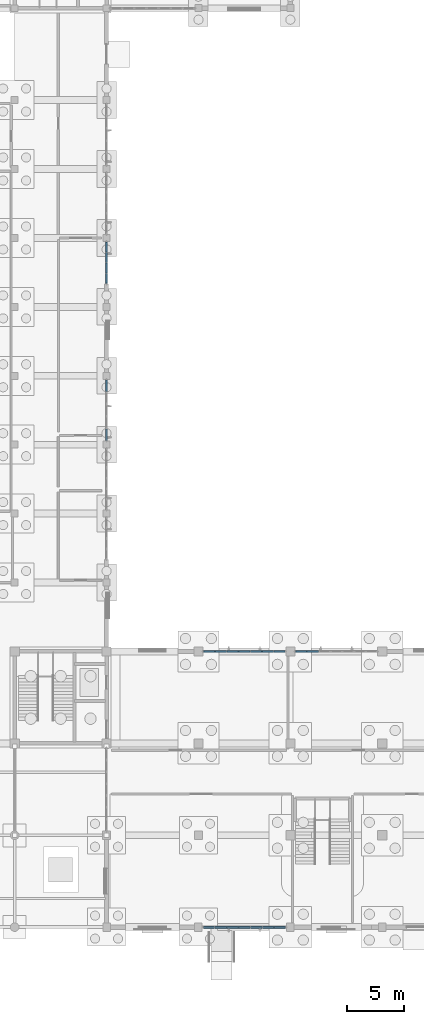
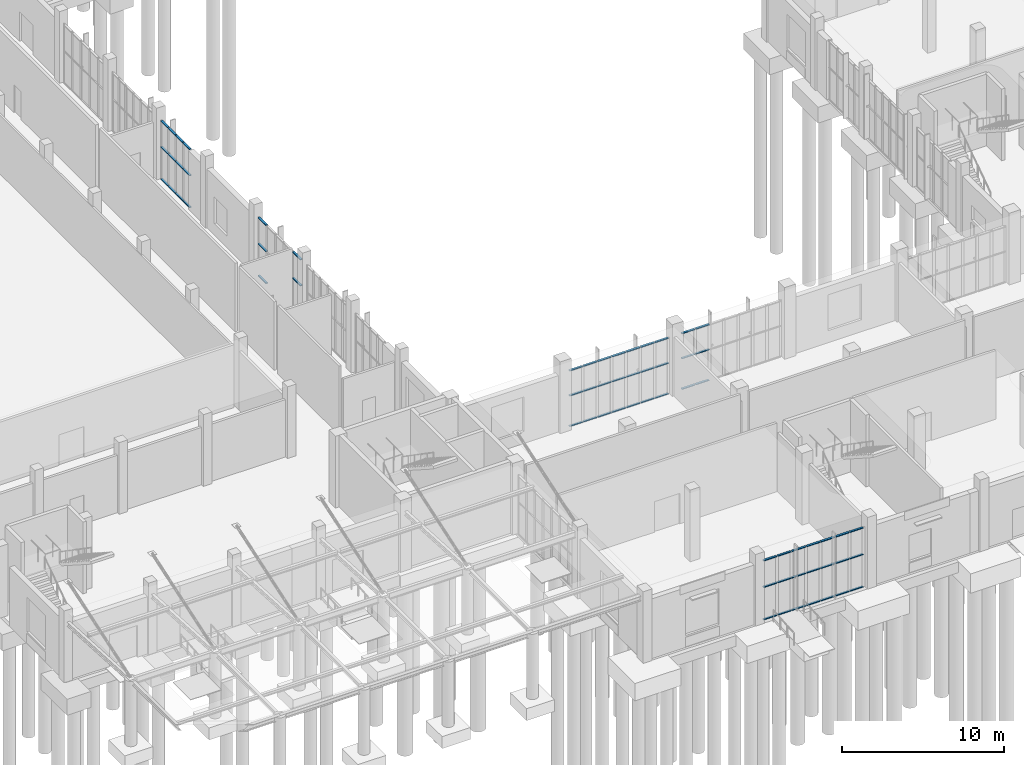
# One storey, part 23 of 69: 65 members, 5 elements without a shape of their own.
"""IFC4 building model written with IfcOpenShell, lengths in metres."""

import ifcopenshell
import ifcopenshell.guid

model = None  # the IFC model being written
_history = None  # IfcOwnerHistory: only IFC2X3 demands one
_inside = {}  # id of a spatial element -> (the spatial element, [elements in it])
_under = {}  # id of a project, library or spatial element -> (it, [spatial elements below it])
_declared = {}  # id of a project -> (the project, [libraries it declares])
_typed = {}  # id of a type object -> (the type object, [elements of that type])
_made_of = {}  # id of a material, layer set ... -> (it, [elements and type objects made of it])


def new_model(schema):
    """Start an empty IFC model of exactly this schema.

    Asked for "IFC4X3", IfcOpenShell would pick the latest addendum, in which some entities
    have other attributes; the version numbers below select the first issue.
    IFC2X3 requires an IfcOwnerHistory on every rooted entity: one is made here for all.
    """
    global model, _history
    if schema == "IFC4X3":
        model = ifcopenshell.file(schema_version=(4, 3, 0, 0))
    else:
        model = ifcopenshell.file(schema=schema)
    _inside.clear()
    _under.clear()
    _declared.clear()
    _typed.clear()
    _made_of.clear()
    _history = None
    if model.schema == "IFC2X3":
        org = make("IfcOrganization", Name="unknown")
        user = make(
            "IfcPersonAndOrganization",
            ThePerson=make("IfcPerson", FamilyName="unknown"),
            TheOrganization=org,
        )
        app = make(
            "IfcApplication",
            ApplicationDeveloper=org,
            Version="unknown",
            ApplicationFullName="unknown",
            ApplicationIdentifier="unknown",
        )
        _history = make(
            "IfcOwnerHistory",
            OwningUser=user,
            OwningApplication=app,
            ChangeAction="ADDED",
            CreationDate=0,
        )
    return model


def make(cls, **values):
    """One entity of the class cls with the attributes given. An attribute that is None is left unset."""
    return model.create_entity(
        cls, **{name: value for name, value in values.items() if value is not None}
    )


def rooted(cls, **values):
    """An entity with a GlobalId (a new one), such as an element, a storey or a relation."""
    return make(cls, GlobalId=ifcopenshell.guid.new(), OwnerHistory=_history, **values)


def si_unit(unit_type, name, prefix=None):
    """IfcSIUnit, for example si_unit("LENGTHUNIT", "METRE", prefix="MILLI")."""
    return make("IfcSIUnit", UnitType=unit_type, Prefix=prefix, Name=name)


def assignment(units):
    """IfcUnitAssignment: the units of a project."""
    return None if units is None else make("IfcUnitAssignment", Units=units)


def point(xyz):
    """IfcCartesianPoint."""
    return None if xyz is None else make("IfcCartesianPoint", Coordinates=xyz)


def direction(xyz):
    """IfcDirection."""
    return None if xyz is None else make("IfcDirection", DirectionRatios=xyz)


def frame(location, z_axis=None, x_axis=None):
    """IfcAxis2Placement3D, a coordinate frame: its origin and axes. An axis left out is left unset."""
    return make(
        "IfcAxis2Placement3D",
        Location=point(location),
        Axis=direction(z_axis),
        RefDirection=direction(x_axis),
    )


def frame_2d(location, x_axis=None):
    """IfcAxis2Placement2D, a coordinate frame in the plane: its origin and x axis."""
    return make(
        "IfcAxis2Placement2D", Location=point(location), RefDirection=direction(x_axis)
    )


def origin():
    """The frame at (0, 0, 0) with its axes left unset."""
    return frame((0.0, 0.0, 0.0))


def origin_2d():
    """The frame at (0, 0) in the plane with its x axis left unset."""
    return frame_2d((0.0, 0.0))


def place(relative_to, where):
    """IfcLocalPlacement: puts the frame where relative to a parent placement (None: the world)."""
    return make(
        "IfcLocalPlacement", PlacementRelTo=relative_to, RelativePlacement=where
    )


def context(
    kind, dimensions, precision=None, world=None, true_north=None, identifier=None
):
    """IfcGeometricRepresentationContext, for example the 3D "Model" context."""
    return make(
        "IfcGeometricRepresentationContext",
        ContextIdentifier=identifier,
        ContextType=kind,
        CoordinateSpaceDimension=dimensions,
        Precision=precision,
        WorldCoordinateSystem=world,
        TrueNorth=true_north,
    )


def subcontext(parent, identifier, kind, view, scale=None):
    """IfcGeometricRepresentationSubContext, for example "Body" below "Model"."""
    return make(
        "IfcGeometricRepresentationSubContext",
        ContextIdentifier=identifier,
        ContextType=kind,
        ParentContext=parent,
        TargetScale=scale,
        TargetView=view,
    )


def project(units=None, contexts=None):
    """IfcProject with its units and contexts."""
    return rooted(
        "IfcProject",
        Name="project",
        RepresentationContexts=contexts,
        UnitsInContext=assignment(units),
    )


def spatial(cls, under=None, at=None, **own):
    """A site, building, storey or space (cls), placed at a placement, below another one or the project."""
    s = rooted(cls, ObjectPlacement=at, **own)
    if under is not None:
        _under.setdefault(under.id(), (under, []))[1].append(s)
    return s


def profile(cls, at=None, kind="AREA", **sizes):
    """A parametric profile (cls). Its sizes go by their IFC names, for example OverallWidth=200.0."""
    return make(cls, ProfileType=kind, Position=at, **sizes)


def rectangle(**sizes):
    """IfcRectangleProfileDef."""
    return profile("IfcRectangleProfileDef", **sizes)


def extrude(swept, where, along, depth):
    """IfcExtrudedAreaSolid: the profile swept, set in the frame where, extruded along a direction by depth."""
    return make(
        "IfcExtrudedAreaSolid",
        SweptArea=swept,
        Position=where,
        ExtrudedDirection=direction(along),
        Depth=depth,
    )


def shape(context_of_items, identifier, shape_type, items):
    """IfcShapeRepresentation: the items that make up one representation, for example the "Body"."""
    return make(
        "IfcShapeRepresentation",
        ContextOfItems=context_of_items,
        RepresentationIdentifier=identifier,
        RepresentationType=shape_type,
        Items=items,
    )


def material(Name=None, Category=None):
    """IfcMaterial."""
    return make("IfcMaterial", Name=Name, Category=Category)


def layer(
    of_material, thickness, ventilated=None, Name=None, Category=None, Priority=None
):
    """IfcMaterialLayer: one layer of a wall or slab, of a material (None: an air gap)."""
    return make(
        "IfcMaterialLayer",
        Material=of_material,
        LayerThickness=thickness,
        IsVentilated=ventilated,
        Name=Name,
        Category=Category,
        Priority=Priority,
    )


def layer_set(layers, Name=None):
    """IfcMaterialLayerSet."""
    return make("IfcMaterialLayerSet", MaterialLayers=layers, LayerSetName=Name)


def material_profile(
    of_material, cross_section, Name=None, Category=None, Priority=None
):
    """IfcMaterialProfile: a cross section and its material."""
    return make(
        "IfcMaterialProfile",
        Name=Name,
        Material=of_material,
        Profile=cross_section,
        Priority=Priority,
        Category=Category,
    )


def profile_set(profiles, Name=None, composite=None):
    """IfcMaterialProfileSet."""
    return make(
        "IfcMaterialProfileSet",
        Name=Name,
        MaterialProfiles=profiles,
        CompositeProfile=composite,
    )


def made_of(thing, what):
    """Note that an element or type object is made of a material, layer set ...; save() writes the relation."""
    if what is not None:
        _made_of.setdefault(what.id(), (what, []))[1].append(thing)
    return thing


def type_object(cls, material=None, **own):
    """A type object (cls), such as IfcWallType, which elements share."""
    return made_of(rooted(cls, **own), material)


def element(
    cls,
    number,
    at=None,
    inside=None,
    cuts=None,
    type_object=None,
    material=None,
    context=None,
    identifier="Body",
    shape_type=None,
    held_by="IfcProductDefinitionShape",
    body=None,
    shapes=None,
    **own,
):
    """One element of the class cls, such as IfcWall. Its Tag is "e" and its number.

    at: its placement. inside: the storey or other place that contains it. cuts: it is an
    opening in that element (IfcRelVoidsElement). A single representation is given by context,
    identifier, shape_type and body (its items); several are given by shapes. held_by: the class
    of the entity that holds the representations. save() writes the other relations.
    """
    e = rooted(cls, Tag="e%d" % number, ObjectPlacement=at, **own)
    if body is not None:
        shapes = [shape(context, identifier, shape_type, body)]
    if shapes is not None:
        e.Representation = make(held_by, Representations=shapes)
    if inside is not None:
        _inside.setdefault(inside.id(), (inside, []))[1].append(e)
    if cuts is not None:
        rooted(
            "IfcRelVoidsElement", RelatingBuildingElement=cuts, RelatedOpeningElement=e
        )
    if type_object is not None:
        _typed.setdefault(type_object.id(), (type_object, []))[1].append(e)
    return made_of(e, material)


def aggregate(whole, parts):
    """IfcRelAggregates: a whole, such as a stair, and the parts it consists of."""
    return rooted("IfcRelAggregates", RelatingObject=whole, RelatedObjects=parts)


def save(model, path):
    """Write the relations noted so far, then the file.

    IfcRelAggregates (storeys below a building ...), IfcRelContainedInSpatialStructure (elements
    in a storey), IfcRelDefinesByType, IfcRelAssociatesMaterial and IfcRelDeclares: one each for
    every whole, place, type object, material and project.
    """
    for whole, parts in _under.values():
        aggregate(whole, parts)
    for where, things in _inside.values():
        rooted(
            "IfcRelContainedInSpatialStructure",
            RelatedElements=things,
            RelatingStructure=where,
        )
    for kind, things in _typed.values():
        rooted("IfcRelDefinesByType", RelatedObjects=things, RelatingType=kind)
    for what, things in _made_of.values():
        rooted("IfcRelAssociatesMaterial", RelatedObjects=things, RelatingMaterial=what)
    for by, libraries in _declared.values():
        rooted("IfcRelDeclares", RelatingContext=by, RelatedDefinitions=libraries)
    model.write(path)


model = new_model("IFC4")

# Units and contexts
model_context = context("Model", 3, precision=1e-05, world=origin(), true_north=direction((0.0, 1.0)))
body_context = subcontext(model_context, "Body", "Model", "MODEL_VIEW")
ifc_project = project(units=[si_unit("LENGTHUNIT", "METRE"), si_unit("AREAUNIT", "SQUARE_METRE"), si_unit("VOLUMEUNIT", "CUBIC_METRE"), si_unit("PLANEANGLEUNIT", "RADIAN"), si_unit("MASSUNIT", "GRAM", prefix="KILO")], contexts=[model_context])

# Site, building, storey
site_placement = place(None, origin())
site = spatial("IfcSite", under=ifc_project, at=site_placement, CompositionType="ELEMENT")
building_placement = place(site_placement, origin())
building = spatial("IfcBuilding", under=site, at=building_placement, Name="Solvane Community Centre", CompositionType="ELEMENT")
storey_placement = place(building_placement, origin())
storey = spatial("IfcBuildingStorey", under=building, at=storey_placement, Name="L00", CompositionType="ELEMENT", Elevation=0.0)

# Curtain wall, members
ifc_material = material(Name="Anodised bronze aluminium AW-6063 T6", Category="aluminium")
ifc_layer_1 = layer(ifc_material, 0.18994140625)
ifc_layer_set_1 = layer_set([ifc_layer_1], Name="Anodised bronze aluminium AW-6063 T6")
curtain_wall_type_1 = type_object("IfcCurtainWallType", Name="Boulevard Bronze Vision Curtain Wall [72x45dm]", PredefinedType="NOTDEFINED", material=ifc_layer_set_1)
curtain_wall_1_placement = place(storey_placement, origin())
curtain_wall_1 = element("IfcCurtainWall", 1, at=curtain_wall_1_placement, inside=storey, type_object=curtain_wall_type_1, Name="Curtain Wall CW-L00-836_60-001", PredefinedType="NOTDEFINED")
ifc_material_profile = material_profile(ifc_material, rectangle(XDim=0.14990234375, YDim=0.06005859375, at=origin_2d()), Name="CW-T 60x150")
ifc_profile_set = profile_set([ifc_material_profile], Name="Anodised bronze aluminium AW-6063 T6")
member_type = type_object("IfcMemberType", Name="Boulevard Transom 60x150", PredefinedType="USERDEFINED", material=ifc_profile_set)
member_1_placement = place(storey_placement, frame((83.550048828125, 6.0, 0.030029296875), z_axis=(-1.0, 0.0, 0.0), x_axis=(0.0, -1.0, 0.0)))
member_1 = element("IfcMember", 2, at=member_1_placement, type_object=member_type, Name="CW02-72x45 transom 1.1", ObjectType="TRANSOM", PredefinedType="USERDEFINED", context=body_context, shape_type="SweptSolid", body=[
    extrude(rectangle(XDim=0.14990234375, YDim=0.06005859375, at=origin_2d()), origin(), (0.0, 0.0, 1.0), 0.94140625),
])
member_2_placement = place(storey_placement, frame((83.550048828125, 6.0, 2.471923828125), z_axis=(-1.0, 0.0, 0.0), x_axis=(0.0, -1.0, 0.0)))
member_2 = element("IfcMember", 3, at=member_2_placement, type_object=member_type, Name="CW02-72x45 transom 1.2", ObjectType="TRANSOM", PredefinedType="USERDEFINED", context=body_context, shape_type="SweptSolid", body=[
    extrude(rectangle(XDim=0.14990234375, YDim=0.06005859375, at=origin_2d()), origin(), (0.0, 0.0, 1.0), 0.94140625),
])
member_3_placement = place(storey_placement, frame((83.550048828125, 6.0, 4.465087890625), z_axis=(-1.0, 0.0, 0.0), x_axis=(0.0, -1.0, 0.0)))
member_3 = element("IfcMember", 4, at=member_3_placement, type_object=member_type, Name="CW02-72x45 transom 1.3", ObjectType="TRANSOM", PredefinedType="USERDEFINED", context=body_context, shape_type="SweptSolid", body=[
    extrude(rectangle(XDim=0.14990234375, YDim=0.06005859375, at=origin_2d()), origin(), (0.0, 0.0, 1.0), 0.94140625),
])
member_4_placement = place(storey_placement, frame((82.548583984375, 6.0, 0.030029296875), z_axis=(-1.0, 0.0, 0.0), x_axis=(0.0, -1.0, 0.0)))
member_4 = element("IfcMember", 5, at=member_4_placement, type_object=member_type, Name="CW02-72x45 transom 2.1", ObjectType="TRANSOM", PredefinedType="USERDEFINED", context=body_context, shape_type="SweptSolid", body=[
    extrude(rectangle(XDim=0.14990234375, YDim=0.06005859375, at=origin_2d()), origin(), (0.0, 0.0, 1.0), 0.971435546875),
])
member_5_placement = place(storey_placement, frame((82.548583984375, 6.0, 2.471923828125), z_axis=(-1.0, 0.0, 0.0), x_axis=(0.0, -1.0, 0.0)))
member_5 = element("IfcMember", 6, at=member_5_placement, type_object=member_type, Name="CW02-72x45 transom 2.2", ObjectType="TRANSOM", PredefinedType="USERDEFINED", context=body_context, shape_type="SweptSolid", body=[
    extrude(rectangle(XDim=0.14990234375, YDim=0.06005859375, at=origin_2d()), origin(), (0.0, 0.0, 1.0), 0.971435546875),
])
member_6_placement = place(storey_placement, frame((82.548583984375, 6.0, 4.465087890625), z_axis=(-1.0, 0.0, 0.0), x_axis=(0.0, -1.0, 0.0)))
member_6 = element("IfcMember", 7, at=member_6_placement, type_object=member_type, Name="CW02-72x45 transom 2.3", ObjectType="TRANSOM", PredefinedType="USERDEFINED", context=body_context, shape_type="SweptSolid", body=[
    extrude(rectangle(XDim=0.14990234375, YDim=0.06005859375, at=origin_2d()), origin(), (0.0, 0.0, 1.0), 0.971435546875),
])
member_7_placement = place(storey_placement, frame((81.51708984375, 6.0, 0.030029296875), z_axis=(-1.0, 0.0, 0.0), x_axis=(0.0, -1.0, 0.0)))
member_7 = element("IfcMember", 8, at=member_7_placement, type_object=member_type, Name="CW02-72x45 transom 3.1", ObjectType="TRANSOM", PredefinedType="USERDEFINED", context=body_context, shape_type="SweptSolid", body=[
    extrude(rectangle(XDim=0.14990234375, YDim=0.06005859375, at=origin_2d()), origin(), (0.0, 0.0, 1.0), 0.971435546875),
])
member_8_placement = place(storey_placement, frame((81.51708984375, 6.0, 2.471923828125), z_axis=(-1.0, 0.0, 0.0), x_axis=(0.0, -1.0, 0.0)))
member_8 = element("IfcMember", 9, at=member_8_placement, type_object=member_type, Name="CW02-72x45 transom 3.2", ObjectType="TRANSOM", PredefinedType="USERDEFINED", context=body_context, shape_type="SweptSolid", body=[
    extrude(rectangle(XDim=0.14990234375, YDim=0.06005859375, at=origin_2d()), origin(), (0.0, 0.0, 1.0), 0.971435546875),
])
member_9_placement = place(storey_placement, frame((81.51708984375, 6.0, 4.465087890625), z_axis=(-1.0, 0.0, 0.0), x_axis=(0.0, -1.0, 0.0)))
member_9 = element("IfcMember", 10, at=member_9_placement, type_object=member_type, Name="CW02-72x45 transom 3.3", ObjectType="TRANSOM", PredefinedType="USERDEFINED", context=body_context, shape_type="SweptSolid", body=[
    extrude(rectangle(XDim=0.14990234375, YDim=0.06005859375, at=origin_2d()), origin(), (0.0, 0.0, 1.0), 0.971435546875),
])
member_10_placement = place(storey_placement, frame((80.485595703125, 6.0, 0.030029296875), z_axis=(-1.0, 0.0, 0.0), x_axis=(0.0, -1.0, 0.0)))
member_10 = element("IfcMember", 11, at=member_10_placement, type_object=member_type, Name="CW02-72x45 transom 4.1", ObjectType="TRANSOM", PredefinedType="USERDEFINED", context=body_context, shape_type="SweptSolid", body=[
    extrude(rectangle(XDim=0.14990234375, YDim=0.06005859375, at=origin_2d()), origin(), (0.0, 0.0, 1.0), 0.97119140625),
])
member_11_placement = place(storey_placement, frame((80.485595703125, 6.0, 2.471923828125), z_axis=(-1.0, 0.0, 0.0), x_axis=(0.0, -1.0, 0.0)))
member_11 = element("IfcMember", 12, at=member_11_placement, type_object=member_type, Name="CW02-72x45 transom 4.2", ObjectType="TRANSOM", PredefinedType="USERDEFINED", context=body_context, shape_type="SweptSolid", body=[
    extrude(rectangle(XDim=0.14990234375, YDim=0.06005859375, at=origin_2d()), origin(), (0.0, 0.0, 1.0), 0.97119140625),
])
member_12_placement = place(storey_placement, frame((80.485595703125, 6.0, 4.465087890625), z_axis=(-1.0, 0.0, 0.0), x_axis=(0.0, -1.0, 0.0)))
member_12 = element("IfcMember", 13, at=member_12_placement, type_object=member_type, Name="CW02-72x45 transom 4.3", ObjectType="TRANSOM", PredefinedType="USERDEFINED", context=body_context, shape_type="SweptSolid", body=[
    extrude(rectangle(XDim=0.14990234375, YDim=0.06005859375, at=origin_2d()), origin(), (0.0, 0.0, 1.0), 0.97119140625),
])
member_13_placement = place(storey_placement, frame((79.454345703125, 6.0, 0.030029296875), z_axis=(-1.0, 0.0, 0.0), x_axis=(0.0, -1.0, 0.0)))
member_13 = element("IfcMember", 14, at=member_13_placement, type_object=member_type, Name="CW02-72x45 transom 5.1", ObjectType="TRANSOM", PredefinedType="USERDEFINED", context=body_context, shape_type="SweptSolid", body=[
    extrude(rectangle(XDim=0.14990234375, YDim=0.06005859375, at=origin_2d()), origin(), (0.0, 0.0, 1.0), 0.971435546875),
])
member_14_placement = place(storey_placement, frame((79.454345703125, 6.0, 2.471923828125), z_axis=(-1.0, 0.0, 0.0), x_axis=(0.0, -1.0, 0.0)))
member_14 = element("IfcMember", 15, at=member_14_placement, type_object=member_type, Name="CW02-72x45 transom 5.2", ObjectType="TRANSOM", PredefinedType="USERDEFINED", context=body_context, shape_type="SweptSolid", body=[
    extrude(rectangle(XDim=0.14990234375, YDim=0.06005859375, at=origin_2d()), origin(), (0.0, 0.0, 1.0), 0.971435546875),
])
member_15_placement = place(storey_placement, frame((79.454345703125, 6.0, 4.465087890625), z_axis=(-1.0, 0.0, 0.0), x_axis=(0.0, -1.0, 0.0)))
member_15 = element("IfcMember", 16, at=member_15_placement, type_object=member_type, Name="CW02-72x45 transom 5.3", ObjectType="TRANSOM", PredefinedType="USERDEFINED", context=body_context, shape_type="SweptSolid", body=[
    extrude(rectangle(XDim=0.14990234375, YDim=0.06005859375, at=origin_2d()), origin(), (0.0, 0.0, 1.0), 0.971435546875),
])
member_16_placement = place(storey_placement, frame((78.4228515625, 6.0, 0.030029296875), z_axis=(-1.0, 0.0, 0.0), x_axis=(0.0, -1.0, 0.0)))
member_16 = element("IfcMember", 17, at=member_16_placement, type_object=member_type, Name="CW02-72x45 transom 6.1", ObjectType="TRANSOM", PredefinedType="USERDEFINED", context=body_context, shape_type="SweptSolid", body=[
    extrude(rectangle(XDim=0.14990234375, YDim=0.06005859375, at=origin_2d()), origin(), (0.0, 0.0, 1.0), 0.971435546875),
])
member_17_placement = place(storey_placement, frame((78.4228515625, 6.0, 2.471923828125), z_axis=(-1.0, 0.0, 0.0), x_axis=(0.0, -1.0, 0.0)))
member_17 = element("IfcMember", 18, at=member_17_placement, type_object=member_type, Name="CW02-72x45 transom 6.2", ObjectType="TRANSOM", PredefinedType="USERDEFINED", context=body_context, shape_type="SweptSolid", body=[
    extrude(rectangle(XDim=0.14990234375, YDim=0.06005859375, at=origin_2d()), origin(), (0.0, 0.0, 1.0), 0.971435546875),
])
member_18_placement = place(storey_placement, frame((78.4228515625, 6.0, 4.465087890625), z_axis=(-1.0, 0.0, 0.0), x_axis=(0.0, -1.0, 0.0)))
member_18 = element("IfcMember", 19, at=member_18_placement, type_object=member_type, Name="CW02-72x45 transom 6.3", ObjectType="TRANSOM", PredefinedType="USERDEFINED", context=body_context, shape_type="SweptSolid", body=[
    extrude(rectangle(XDim=0.14990234375, YDim=0.06005859375, at=origin_2d()), origin(), (0.0, 0.0, 1.0), 0.971435546875),
])
member_19_placement = place(storey_placement, frame((77.391357421875, 6.0, 0.030029296875), z_axis=(-1.0, 0.0, 0.0), x_axis=(0.0, -1.0, 0.0)))
member_19 = element("IfcMember", 20, at=member_19_placement, type_object=member_type, Name="CW02-72x45 transom 7.1", ObjectType="TRANSOM", PredefinedType="USERDEFINED", context=body_context, shape_type="SweptSolid", body=[
    extrude(rectangle(XDim=0.14990234375, YDim=0.06005859375, at=origin_2d()), origin(), (0.0, 0.0, 1.0), 0.94140625),
])
member_20_placement = place(storey_placement, frame((77.391357421875, 6.0, 2.471923828125), z_axis=(-1.0, 0.0, 0.0), x_axis=(0.0, -1.0, 0.0)))
member_20 = element("IfcMember", 21, at=member_20_placement, type_object=member_type, Name="CW02-72x45 transom 7.2", ObjectType="TRANSOM", PredefinedType="USERDEFINED", context=body_context, shape_type="SweptSolid", body=[
    extrude(rectangle(XDim=0.14990234375, YDim=0.06005859375, at=origin_2d()), origin(), (0.0, 0.0, 1.0), 0.94140625),
])
member_21_placement = place(storey_placement, frame((77.391357421875, 6.0, 4.465087890625), z_axis=(-1.0, 0.0, 0.0), x_axis=(0.0, -1.0, 0.0)))
member_21 = element("IfcMember", 22, at=member_21_placement, type_object=member_type, Name="CW02-72x45 transom 7.3", ObjectType="TRANSOM", PredefinedType="USERDEFINED", context=body_context, shape_type="SweptSolid", body=[
    extrude(rectangle(XDim=0.14990234375, YDim=0.06005859375, at=origin_2d()), origin(), (0.0, 0.0, 1.0), 0.94140625),
])
aggregate(curtain_wall_1, [member_1, member_2, member_3, member_4, member_5, member_6, member_7, member_8, member_9, member_10, member_11, member_12, member_13, member_14, member_15, member_16, member_17, member_18, member_19, member_20, member_21])

ifc_layer_2 = layer(ifc_material, 0.18994140625)
ifc_layer_set_2 = layer_set([ifc_layer_2], Name="Anodised bronze aluminium AW-6063 T6")
curtain_wall_type_2 = type_object("IfcCurtainWallType", Name="Boulevard Bronze Vision Curtain Wall [37x44dm]", PredefinedType="NOTDEFINED", material=ifc_layer_set_2)
curtain_wall_2_placement = place(storey_placement, origin())
curtain_wall_2 = element("IfcCurtainWall", 23, at=curtain_wall_2_placement, inside=storey, type_object=curtain_wall_type_2, Name="Curtain Wall CW-L00-680_657-018", PredefinedType="NOTDEFINED")
member_22_placement = place(storey_placement, frame((68.0, 65.6201171875, 0.030029296875), z_axis=(0.0, -1.0, 0.0), x_axis=(1.0, 0.0, 0.0)))
member_22 = element("IfcMember", 24, at=member_22_placement, type_object=member_type, Name="CW02-37x44 transom 1.1", ObjectType="TRANSOM", PredefinedType="USERDEFINED", context=body_context, shape_type="SweptSolid", body=[
    extrude(rectangle(XDim=0.14990234375, YDim=0.06005859375, at=origin_2d()), origin(), (0.0, 0.0, 1.0), 0.830078125),
])
member_23_placement = place(storey_placement, frame((68.0, 65.6201171875, 2.43408203125), z_axis=(0.0, -1.0, 0.0), x_axis=(1.0, 0.0, 0.0)))
member_23 = element("IfcMember", 25, at=member_23_placement, type_object=member_type, Name="CW02-37x44 transom 1.2", ObjectType="TRANSOM", PredefinedType="USERDEFINED", context=body_context, shape_type="SweptSolid", body=[
    extrude(rectangle(XDim=0.14990234375, YDim=0.06005859375, at=origin_2d()), origin(), (0.0, 0.0, 1.0), 0.830078125),
])
member_24_placement = place(storey_placement, frame((68.0, 65.6201171875, 4.39501953125), z_axis=(0.0, -1.0, 0.0), x_axis=(1.0, 0.0, 0.0)))
member_24 = element("IfcMember", 26, at=member_24_placement, type_object=member_type, Name="CW02-37x44 transom 1.3", ObjectType="TRANSOM", PredefinedType="USERDEFINED", context=body_context, shape_type="SweptSolid", body=[
    extrude(rectangle(XDim=0.14990234375, YDim=0.06005859375, at=origin_2d()), origin(), (0.0, 0.0, 1.0), 0.830078125),
])
member_25_placement = place(storey_placement, frame((68.0, 64.72998046875, 0.030029296875), z_axis=(0.0, -1.0, 0.0), x_axis=(1.0, 0.0, 0.0)))
member_25 = element("IfcMember", 27, at=member_25_placement, type_object=member_type, Name="CW02-37x44 transom 2.1", ObjectType="TRANSOM", PredefinedType="USERDEFINED", context=body_context, shape_type="SweptSolid", body=[
    extrude(rectangle(XDim=0.14990234375, YDim=0.06005859375, at=origin_2d()), origin(), (0.0, 0.0, 1.0), 0.85986328125),
])
member_26_placement = place(storey_placement, frame((68.0, 64.72998046875, 2.43408203125), z_axis=(0.0, -1.0, 0.0), x_axis=(1.0, 0.0, 0.0)))
member_26 = element("IfcMember", 28, at=member_26_placement, type_object=member_type, Name="CW02-37x44 transom 2.2", ObjectType="TRANSOM", PredefinedType="USERDEFINED", context=body_context, shape_type="SweptSolid", body=[
    extrude(rectangle(XDim=0.14990234375, YDim=0.06005859375, at=origin_2d()), origin(), (0.0, 0.0, 1.0), 0.85986328125),
])
member_27_placement = place(storey_placement, frame((68.0, 64.72998046875, 4.39501953125), z_axis=(0.0, -1.0, 0.0), x_axis=(1.0, 0.0, 0.0)))
member_27 = element("IfcMember", 29, at=member_27_placement, type_object=member_type, Name="CW02-37x44 transom 2.3", ObjectType="TRANSOM", PredefinedType="USERDEFINED", context=body_context, shape_type="SweptSolid", body=[
    extrude(rectangle(XDim=0.14990234375, YDim=0.06005859375, at=origin_2d()), origin(), (0.0, 0.0, 1.0), 0.85986328125),
])
member_28_placement = place(storey_placement, frame((68.0, 63.81005859375, 0.030029296875), z_axis=(0.0, -1.0, 0.0), x_axis=(1.0, 0.0, 0.0)))
member_28 = element("IfcMember", 30, at=member_28_placement, type_object=member_type, Name="CW02-37x44 transom 3.1", ObjectType="TRANSOM", PredefinedType="USERDEFINED", context=body_context, shape_type="SweptSolid", body=[
    extrude(rectangle(XDim=0.14990234375, YDim=0.06005859375, at=origin_2d()), origin(), (0.0, 0.0, 1.0), 0.860107421875),
])
member_29_placement = place(storey_placement, frame((68.0, 63.81005859375, 2.43408203125), z_axis=(0.0, -1.0, 0.0), x_axis=(1.0, 0.0, 0.0)))
member_29 = element("IfcMember", 31, at=member_29_placement, type_object=member_type, Name="CW02-37x44 transom 3.2", ObjectType="TRANSOM", PredefinedType="USERDEFINED", context=body_context, shape_type="SweptSolid", body=[
    extrude(rectangle(XDim=0.14990234375, YDim=0.06005859375, at=origin_2d()), origin(), (0.0, 0.0, 1.0), 0.860107421875),
])
member_30_placement = place(storey_placement, frame((68.0, 63.81005859375, 4.39501953125), z_axis=(0.0, -1.0, 0.0), x_axis=(1.0, 0.0, 0.0)))
member_30 = element("IfcMember", 32, at=member_30_placement, type_object=member_type, Name="CW02-37x44 transom 3.3", ObjectType="TRANSOM", PredefinedType="USERDEFINED", context=body_context, shape_type="SweptSolid", body=[
    extrude(rectangle(XDim=0.14990234375, YDim=0.06005859375, at=origin_2d()), origin(), (0.0, 0.0, 1.0), 0.860107421875),
])
member_31_placement = place(storey_placement, frame((68.0, 62.889892578125, 0.030029296875), z_axis=(0.0, -1.0, 0.0), x_axis=(1.0, 0.0, 0.0)))
member_31 = element("IfcMember", 33, at=member_31_placement, type_object=member_type, Name="CW02-37x44 transom 4.1", ObjectType="TRANSOM", PredefinedType="USERDEFINED", context=body_context, shape_type="SweptSolid", body=[
    extrude(rectangle(XDim=0.14990234375, YDim=0.06005859375, at=origin_2d()), origin(), (0.0, 0.0, 1.0), 0.829833984375),
])
member_32_placement = place(storey_placement, frame((68.0, 62.889892578125, 2.43408203125), z_axis=(0.0, -1.0, 0.0), x_axis=(1.0, 0.0, 0.0)))
member_32 = element("IfcMember", 34, at=member_32_placement, type_object=member_type, Name="CW02-37x44 transom 4.2", ObjectType="TRANSOM", PredefinedType="USERDEFINED", context=body_context, shape_type="SweptSolid", body=[
    extrude(rectangle(XDim=0.14990234375, YDim=0.06005859375, at=origin_2d()), origin(), (0.0, 0.0, 1.0), 0.829833984375),
])
member_33_placement = place(storey_placement, frame((68.0, 62.889892578125, 4.39501953125), z_axis=(0.0, -1.0, 0.0), x_axis=(1.0, 0.0, 0.0)))
member_33 = element("IfcMember", 35, at=member_33_placement, type_object=member_type, Name="CW02-37x44 transom 4.3", ObjectType="TRANSOM", PredefinedType="USERDEFINED", context=body_context, shape_type="SweptSolid", body=[
    extrude(rectangle(XDim=0.14990234375, YDim=0.06005859375, at=origin_2d()), origin(), (0.0, 0.0, 1.0), 0.829833984375),
])
aggregate(curtain_wall_2, [member_22, member_23, member_24, member_25, member_26, member_27, member_28, member_29, member_30, member_31, member_32, member_33])

ifc_layer_3 = layer(ifc_material, 0.18994140625)
ifc_layer_set_3 = layer_set([ifc_layer_3], Name="Anodised bronze aluminium AW-6063 T6")
curtain_wall_type_3 = type_object("IfcCurtainWallType", Name="Boulevard Bronze Vision Curtain Wall [54x44dm]", PredefinedType="NOTDEFINED", material=ifc_layer_set_3)
curtain_wall_3_placement = place(storey_placement, origin())
curtain_wall_3 = element("IfcCurtainWall", 36, at=curtain_wall_3_placement, inside=storey, type_object=curtain_wall_type_3, Name="Curtain Wall CW-L00-680_537-019", PredefinedType="NOTDEFINED")
member_34_placement = place(storey_placement, frame((68.0, 53.6201171875, 0.030029296875), z_axis=(0.0, -1.0, 0.0), x_axis=(1.0, 0.0, 0.0)))
member_34 = element("IfcMember", 37, at=member_34_placement, type_object=member_type, Name="CW02-54x44 transom 1.1", ObjectType="TRANSOM", PredefinedType="USERDEFINED", context=body_context, shape_type="SweptSolid", body=[
    extrude(rectangle(XDim=0.14990234375, YDim=0.06005859375, at=origin_2d()), origin(), (0.0, 0.0, 1.0), 0.982177734375),
])
member_35_placement = place(storey_placement, frame((68.0, 53.6201171875, 2.43408203125), z_axis=(0.0, -1.0, 0.0), x_axis=(1.0, 0.0, 0.0)))
member_35 = element("IfcMember", 38, at=member_35_placement, type_object=member_type, Name="CW02-54x44 transom 1.2", ObjectType="TRANSOM", PredefinedType="USERDEFINED", context=body_context, shape_type="SweptSolid", body=[
    extrude(rectangle(XDim=0.14990234375, YDim=0.06005859375, at=origin_2d()), origin(), (0.0, 0.0, 1.0), 0.982177734375),
])
member_36_placement = place(storey_placement, frame((68.0, 53.6201171875, 4.39501953125), z_axis=(0.0, -1.0, 0.0), x_axis=(1.0, 0.0, 0.0)))
member_36 = element("IfcMember", 39, at=member_36_placement, type_object=member_type, Name="CW02-54x44 transom 1.3", ObjectType="TRANSOM", PredefinedType="USERDEFINED", context=body_context, shape_type="SweptSolid", body=[
    extrude(rectangle(XDim=0.14990234375, YDim=0.06005859375, at=origin_2d()), origin(), (0.0, 0.0, 1.0), 0.982177734375),
])
member_37_placement = place(storey_placement, frame((68.0, 49.362060546875, 2.43408203125), z_axis=(0.0, -1.0, 0.0), x_axis=(1.0, 0.0, 0.0)))
member_37 = element("IfcMember", 40, at=member_37_placement, type_object=member_type, Name="CW02-54x44 transom 5.2", ObjectType="TRANSOM", PredefinedType="USERDEFINED", context=body_context, shape_type="SweptSolid", body=[
    extrude(rectangle(XDim=0.14990234375, YDim=0.06005859375, at=origin_2d()), origin(), (0.0, 0.0, 1.0), 0.982177734375),
])
member_38_placement = place(storey_placement, frame((68.0, 49.362060546875, 4.39501953125), z_axis=(0.0, -1.0, 0.0), x_axis=(1.0, 0.0, 0.0)))
member_38 = element("IfcMember", 41, at=member_38_placement, type_object=member_type, Name="CW02-54x44 transom 5.3", ObjectType="TRANSOM", PredefinedType="USERDEFINED", context=body_context, shape_type="SweptSolid", body=[
    extrude(rectangle(XDim=0.14990234375, YDim=0.06005859375, at=origin_2d()), origin(), (0.0, 0.0, 1.0), 0.982177734375),
])
aggregate(curtain_wall_3, [member_34, member_35, member_36, member_37, member_38])

ifc_layer_4 = layer(ifc_material, 0.18994140625)
ifc_layer_set_4 = layer_set([ifc_layer_4], Name="Anodised bronze aluminium AW-6063 T6")
curtain_wall_type_4 = type_object("IfcCurtainWallType", Name="Boulevard Bronze Vision Curtain Wall [72x42dm]", PredefinedType="NOTDEFINED", material=ifc_layer_set_4)
curtain_wall_4_placement = place(storey_placement, origin())
curtain_wall_4 = element("IfcCurtainWall", 42, at=curtain_wall_4_placement, inside=storey, type_object=curtain_wall_type_4, Name="Curtain Wall CW-L00-764_300-023", PredefinedType="NOTDEFINED")
member_39_placement = place(storey_placement, frame((76.47509765625, 30.0, 0.030029296875), z_axis=(1.0, 0.0, 0.0), x_axis=(0.0, 1.0, 0.0)))
member_39 = element("IfcMember", 43, at=member_39_placement, type_object=member_type, Name="CW02-72x42 transom 1.1", ObjectType="TRANSOM", PredefinedType="USERDEFINED", context=body_context, shape_type="SweptSolid", body=[
    extrude(rectangle(XDim=0.14990234375, YDim=0.06005859375, at=origin_2d()), origin(), (0.0, 0.0, 1.0), 0.93408203125),
])
member_40_placement = place(storey_placement, frame((76.47509765625, 30.0, 2.3349609375), z_axis=(1.0, 0.0, 0.0), x_axis=(0.0, 1.0, 0.0)))
member_40 = element("IfcMember", 44, at=member_40_placement, type_object=member_type, Name="CW02-72x42 transom 1.2", ObjectType="TRANSOM", PredefinedType="USERDEFINED", context=body_context, shape_type="SweptSolid", body=[
    extrude(rectangle(XDim=0.14990234375, YDim=0.06005859375, at=origin_2d()), origin(), (0.0, 0.0, 1.0), 0.93408203125),
])
member_41_placement = place(storey_placement, frame((76.47509765625, 30.0, 4.215087890625), z_axis=(1.0, 0.0, 0.0), x_axis=(0.0, 1.0, 0.0)))
member_41 = element("IfcMember", 45, at=member_41_placement, type_object=member_type, Name="CW02-72x42 transom 1.3", ObjectType="TRANSOM", PredefinedType="USERDEFINED", context=body_context, shape_type="SweptSolid", body=[
    extrude(rectangle(XDim=0.14990234375, YDim=0.06005859375, at=origin_2d()), origin(), (0.0, 0.0, 1.0), 0.93408203125),
])
member_42_placement = place(storey_placement, frame((77.46923828125, 30.0, 0.030029296875), z_axis=(1.0, 0.0, 0.0), x_axis=(0.0, 1.0, 0.0)))
member_42 = element("IfcMember", 46, at=member_42_placement, type_object=member_type, Name="CW02-72x42 transom 2.1", ObjectType="TRANSOM", PredefinedType="USERDEFINED", context=body_context, shape_type="SweptSolid", body=[
    extrude(rectangle(XDim=0.14990234375, YDim=0.06005859375, at=origin_2d()), origin(), (0.0, 0.0, 1.0), 0.96435546875),
])
member_43_placement = place(storey_placement, frame((77.46923828125, 30.0, 2.3349609375), z_axis=(1.0, 0.0, 0.0), x_axis=(0.0, 1.0, 0.0)))
member_43 = element("IfcMember", 47, at=member_43_placement, type_object=member_type, Name="CW02-72x42 transom 2.2", ObjectType="TRANSOM", PredefinedType="USERDEFINED", context=body_context, shape_type="SweptSolid", body=[
    extrude(rectangle(XDim=0.14990234375, YDim=0.06005859375, at=origin_2d()), origin(), (0.0, 0.0, 1.0), 0.96435546875),
])
member_44_placement = place(storey_placement, frame((77.46923828125, 30.0, 4.215087890625), z_axis=(1.0, 0.0, 0.0), x_axis=(0.0, 1.0, 0.0)))
member_44 = element("IfcMember", 48, at=member_44_placement, type_object=member_type, Name="CW02-72x42 transom 2.3", ObjectType="TRANSOM", PredefinedType="USERDEFINED", context=body_context, shape_type="SweptSolid", body=[
    extrude(rectangle(XDim=0.14990234375, YDim=0.06005859375, at=origin_2d()), origin(), (0.0, 0.0, 1.0), 0.96435546875),
])
member_45_placement = place(storey_placement, frame((78.49365234375, 30.0, 0.030029296875), z_axis=(1.0, 0.0, 0.0), x_axis=(0.0, 1.0, 0.0)))
member_45 = element("IfcMember", 49, at=member_45_placement, type_object=member_type, Name="CW02-72x42 transom 3.1", ObjectType="TRANSOM", PredefinedType="USERDEFINED", context=body_context, shape_type="SweptSolid", body=[
    extrude(rectangle(XDim=0.14990234375, YDim=0.06005859375, at=origin_2d()), origin(), (0.0, 0.0, 1.0), 0.964111328125),
])
member_46_placement = place(storey_placement, frame((78.49365234375, 30.0, 2.3349609375), z_axis=(1.0, 0.0, 0.0), x_axis=(0.0, 1.0, 0.0)))
member_46 = element("IfcMember", 50, at=member_46_placement, type_object=member_type, Name="CW02-72x42 transom 3.2", ObjectType="TRANSOM", PredefinedType="USERDEFINED", context=body_context, shape_type="SweptSolid", body=[
    extrude(rectangle(XDim=0.14990234375, YDim=0.06005859375, at=origin_2d()), origin(), (0.0, 0.0, 1.0), 0.964111328125),
])
member_47_placement = place(storey_placement, frame((78.49365234375, 30.0, 4.215087890625), z_axis=(1.0, 0.0, 0.0), x_axis=(0.0, 1.0, 0.0)))
member_47 = element("IfcMember", 51, at=member_47_placement, type_object=member_type, Name="CW02-72x42 transom 3.3", ObjectType="TRANSOM", PredefinedType="USERDEFINED", context=body_context, shape_type="SweptSolid", body=[
    extrude(rectangle(XDim=0.14990234375, YDim=0.06005859375, at=origin_2d()), origin(), (0.0, 0.0, 1.0), 0.964111328125),
])
member_48_placement = place(storey_placement, frame((79.517822265625, 30.0, 0.030029296875), z_axis=(1.0, 0.0, 0.0), x_axis=(0.0, 1.0, 0.0)))
member_48 = element("IfcMember", 52, at=member_48_placement, type_object=member_type, Name="CW02-72x42 transom 4.1", ObjectType="TRANSOM", PredefinedType="USERDEFINED", context=body_context, shape_type="SweptSolid", body=[
    extrude(rectangle(XDim=0.14990234375, YDim=0.06005859375, at=origin_2d()), origin(), (0.0, 0.0, 1.0), 0.96435546875),
])
member_49_placement = place(storey_placement, frame((79.517822265625, 30.0, 2.3349609375), z_axis=(1.0, 0.0, 0.0), x_axis=(0.0, 1.0, 0.0)))
member_49 = element("IfcMember", 53, at=member_49_placement, type_object=member_type, Name="CW02-72x42 transom 4.2", ObjectType="TRANSOM", PredefinedType="USERDEFINED", context=body_context, shape_type="SweptSolid", body=[
    extrude(rectangle(XDim=0.14990234375, YDim=0.06005859375, at=origin_2d()), origin(), (0.0, 0.0, 1.0), 0.96435546875),
])
member_50_placement = place(storey_placement, frame((79.517822265625, 30.0, 4.215087890625), z_axis=(1.0, 0.0, 0.0), x_axis=(0.0, 1.0, 0.0)))
member_50 = element("IfcMember", 54, at=member_50_placement, type_object=member_type, Name="CW02-72x42 transom 4.3", ObjectType="TRANSOM", PredefinedType="USERDEFINED", context=body_context, shape_type="SweptSolid", body=[
    extrude(rectangle(XDim=0.14990234375, YDim=0.06005859375, at=origin_2d()), origin(), (0.0, 0.0, 1.0), 0.96435546875),
])
member_51_placement = place(storey_placement, frame((80.542236328125, 30.0, 0.030029296875), z_axis=(1.0, 0.0, 0.0), x_axis=(0.0, 1.0, 0.0)))
member_51 = element("IfcMember", 55, at=member_51_placement, type_object=member_type, Name="CW02-72x42 transom 5.1", ObjectType="TRANSOM", PredefinedType="USERDEFINED", context=body_context, shape_type="SweptSolid", body=[
    extrude(rectangle(XDim=0.14990234375, YDim=0.06005859375, at=origin_2d()), origin(), (0.0, 0.0, 1.0), 0.964111328125),
])
member_52_placement = place(storey_placement, frame((80.542236328125, 30.0, 2.3349609375), z_axis=(1.0, 0.0, 0.0), x_axis=(0.0, 1.0, 0.0)))
member_52 = element("IfcMember", 56, at=member_52_placement, type_object=member_type, Name="CW02-72x42 transom 5.2", ObjectType="TRANSOM", PredefinedType="USERDEFINED", context=body_context, shape_type="SweptSolid", body=[
    extrude(rectangle(XDim=0.14990234375, YDim=0.06005859375, at=origin_2d()), origin(), (0.0, 0.0, 1.0), 0.964111328125),
])
member_53_placement = place(storey_placement, frame((80.542236328125, 30.0, 4.215087890625), z_axis=(1.0, 0.0, 0.0), x_axis=(0.0, 1.0, 0.0)))
member_53 = element("IfcMember", 57, at=member_53_placement, type_object=member_type, Name="CW02-72x42 transom 5.3", ObjectType="TRANSOM", PredefinedType="USERDEFINED", context=body_context, shape_type="SweptSolid", body=[
    extrude(rectangle(XDim=0.14990234375, YDim=0.06005859375, at=origin_2d()), origin(), (0.0, 0.0, 1.0), 0.964111328125),
])
member_54_placement = place(storey_placement, frame((81.56640625, 30.0, 0.030029296875), z_axis=(1.0, 0.0, 0.0), x_axis=(0.0, 1.0, 0.0)))
member_54 = element("IfcMember", 58, at=member_54_placement, type_object=member_type, Name="CW02-72x42 transom 6.1", ObjectType="TRANSOM", PredefinedType="USERDEFINED", context=body_context, shape_type="SweptSolid", body=[
    extrude(rectangle(XDim=0.14990234375, YDim=0.06005859375, at=origin_2d()), origin(), (0.0, 0.0, 1.0), 0.96435546875),
])
member_55_placement = place(storey_placement, frame((81.56640625, 30.0, 2.3349609375), z_axis=(1.0, 0.0, 0.0), x_axis=(0.0, 1.0, 0.0)))
member_55 = element("IfcMember", 59, at=member_55_placement, type_object=member_type, Name="CW02-72x42 transom 6.2", ObjectType="TRANSOM", PredefinedType="USERDEFINED", context=body_context, shape_type="SweptSolid", body=[
    extrude(rectangle(XDim=0.14990234375, YDim=0.06005859375, at=origin_2d()), origin(), (0.0, 0.0, 1.0), 0.96435546875),
])
member_56_placement = place(storey_placement, frame((81.56640625, 30.0, 4.215087890625), z_axis=(1.0, 0.0, 0.0), x_axis=(0.0, 1.0, 0.0)))
member_56 = element("IfcMember", 60, at=member_56_placement, type_object=member_type, Name="CW02-72x42 transom 6.3", ObjectType="TRANSOM", PredefinedType="USERDEFINED", context=body_context, shape_type="SweptSolid", body=[
    extrude(rectangle(XDim=0.14990234375, YDim=0.06005859375, at=origin_2d()), origin(), (0.0, 0.0, 1.0), 0.96435546875),
])
member_57_placement = place(storey_placement, frame((82.5908203125, 30.0, 0.030029296875), z_axis=(1.0, 0.0, 0.0), x_axis=(0.0, 1.0, 0.0)))
member_57 = element("IfcMember", 61, at=member_57_placement, type_object=member_type, Name="CW02-72x42 transom 7.1", ObjectType="TRANSOM", PredefinedType="USERDEFINED", context=body_context, shape_type="SweptSolid", body=[
    extrude(rectangle(XDim=0.14990234375, YDim=0.06005859375, at=origin_2d()), origin(), (0.0, 0.0, 1.0), 0.93408203125),
])
member_58_placement = place(storey_placement, frame((82.5908203125, 30.0, 2.3349609375), z_axis=(1.0, 0.0, 0.0), x_axis=(0.0, 1.0, 0.0)))
member_58 = element("IfcMember", 62, at=member_58_placement, type_object=member_type, Name="CW02-72x42 transom 7.2", ObjectType="TRANSOM", PredefinedType="USERDEFINED", context=body_context, shape_type="SweptSolid", body=[
    extrude(rectangle(XDim=0.14990234375, YDim=0.06005859375, at=origin_2d()), origin(), (0.0, 0.0, 1.0), 0.93408203125),
])
member_59_placement = place(storey_placement, frame((82.5908203125, 30.0, 4.215087890625), z_axis=(1.0, 0.0, 0.0), x_axis=(0.0, 1.0, 0.0)))
member_59 = element("IfcMember", 63, at=member_59_placement, type_object=member_type, Name="CW02-72x42 transom 7.3", ObjectType="TRANSOM", PredefinedType="USERDEFINED", context=body_context, shape_type="SweptSolid", body=[
    extrude(rectangle(XDim=0.14990234375, YDim=0.06005859375, at=origin_2d()), origin(), (0.0, 0.0, 1.0), 0.93408203125),
])
aggregate(curtain_wall_4, [member_39, member_40, member_41, member_42, member_43, member_44, member_45, member_46, member_47, member_48, member_49, member_50, member_51, member_52, member_53, member_54, member_55, member_56, member_57, member_58, member_59])

curtain_wall_5_placement = place(storey_placement, origin())
curtain_wall_5 = element("IfcCurtainWall", 64, at=curtain_wall_5_placement, inside=storey, type_object=curtain_wall_type_4, Name="Curtain Wall CW-L00-844_300-024", PredefinedType="NOTDEFINED")
member_60_placement = place(storey_placement, frame((84.47509765625, 30.0, 0.030029296875), z_axis=(1.0, 0.0, 0.0), x_axis=(0.0, 1.0, 0.0)))
member_60 = element("IfcMember", 65, at=member_60_placement, type_object=member_type, Name="CW02-72x42 transom 1.1", ObjectType="TRANSOM", PredefinedType="USERDEFINED", context=body_context, shape_type="SweptSolid", body=[
    extrude(rectangle(XDim=0.14990234375, YDim=0.06005859375, at=origin_2d()), origin(), (0.0, 0.0, 1.0), 0.93408203125),
])
member_61_placement = place(storey_placement, frame((84.47509765625, 30.0, 2.3349609375), z_axis=(1.0, 0.0, 0.0), x_axis=(0.0, 1.0, 0.0)))
member_61 = element("IfcMember", 66, at=member_61_placement, type_object=member_type, Name="CW02-72x42 transom 1.2", ObjectType="TRANSOM", PredefinedType="USERDEFINED", context=body_context, shape_type="SweptSolid", body=[
    extrude(rectangle(XDim=0.14990234375, YDim=0.06005859375, at=origin_2d()), origin(), (0.0, 0.0, 1.0), 0.93408203125),
])
member_62_placement = place(storey_placement, frame((84.47509765625, 30.0, 4.215087890625), z_axis=(1.0, 0.0, 0.0), x_axis=(0.0, 1.0, 0.0)))
member_62 = element("IfcMember", 67, at=member_62_placement, type_object=member_type, Name="CW02-72x42 transom 1.3", ObjectType="TRANSOM", PredefinedType="USERDEFINED", context=body_context, shape_type="SweptSolid", body=[
    extrude(rectangle(XDim=0.14990234375, YDim=0.06005859375, at=origin_2d()), origin(), (0.0, 0.0, 1.0), 0.93408203125),
])
member_63_placement = place(storey_placement, frame((85.46923828125, 30.0, 0.030029296875), z_axis=(1.0, 0.0, 0.0), x_axis=(0.0, 1.0, 0.0)))
member_63 = element("IfcMember", 68, at=member_63_placement, type_object=member_type, Name="CW02-72x42 transom 2.1", ObjectType="TRANSOM", PredefinedType="USERDEFINED", context=body_context, shape_type="SweptSolid", body=[
    extrude(rectangle(XDim=0.14990234375, YDim=0.06005859375, at=origin_2d()), origin(), (0.0, 0.0, 1.0), 0.96435546875),
])
member_64_placement = place(storey_placement, frame((85.46923828125, 30.0, 2.3349609375), z_axis=(1.0, 0.0, 0.0), x_axis=(0.0, 1.0, 0.0)))
member_64 = element("IfcMember", 69, at=member_64_placement, type_object=member_type, Name="CW02-72x42 transom 2.2", ObjectType="TRANSOM", PredefinedType="USERDEFINED", context=body_context, shape_type="SweptSolid", body=[
    extrude(rectangle(XDim=0.14990234375, YDim=0.06005859375, at=origin_2d()), origin(), (0.0, 0.0, 1.0), 0.96435546875),
])
member_65_placement = place(storey_placement, frame((85.46923828125, 30.0, 4.215087890625), z_axis=(1.0, 0.0, 0.0), x_axis=(0.0, 1.0, 0.0)))
member_65 = element("IfcMember", 70, at=member_65_placement, type_object=member_type, Name="CW02-72x42 transom 2.3", ObjectType="TRANSOM", PredefinedType="USERDEFINED", context=body_context, shape_type="SweptSolid", body=[
    extrude(rectangle(XDim=0.14990234375, YDim=0.06005859375, at=origin_2d()), origin(), (0.0, 0.0, 1.0), 0.96435546875),
])
aggregate(curtain_wall_5, [member_60, member_61, member_62, member_63, member_64, member_65])

save(model, "model.ifc")
